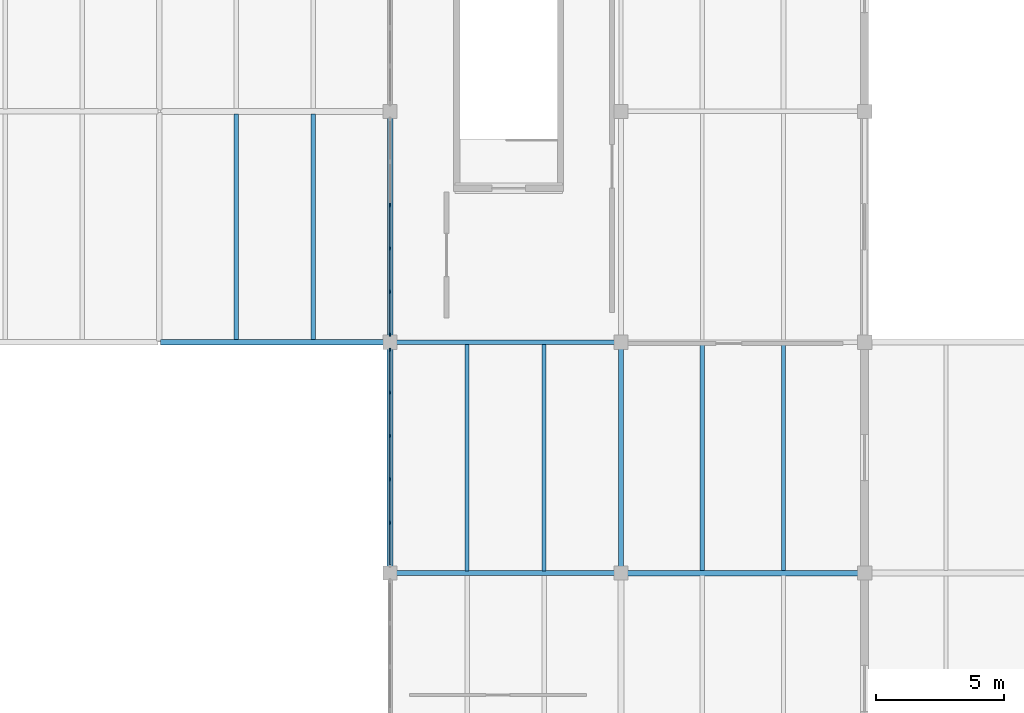
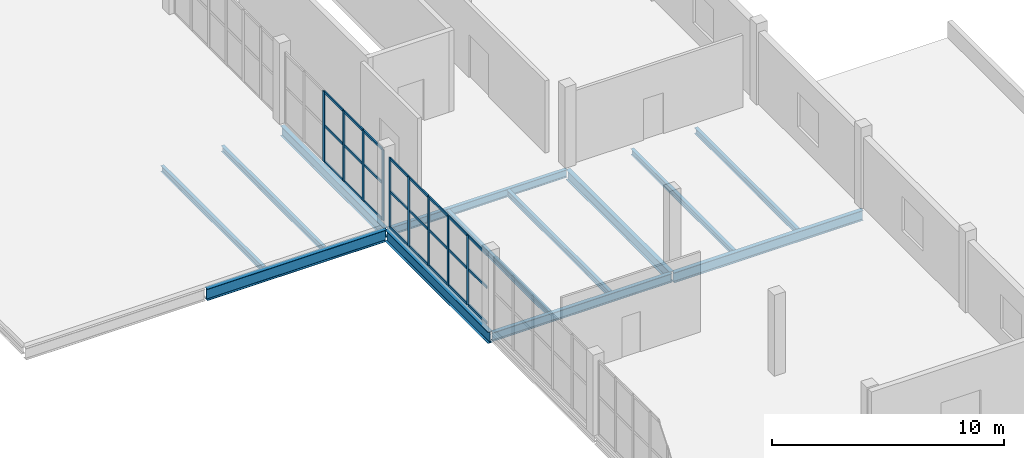
# One storey, part 30 of 54: 33 members, 13 beams, 2 elements without a shape of their own.
"""IFC4 building model written with IfcOpenShell, lengths in metres."""

import ifcopenshell
import ifcopenshell.guid

model = None  # the IFC model being written
_history = None  # IfcOwnerHistory: only IFC2X3 demands one
_inside = {}  # id of a spatial element -> (the spatial element, [elements in it])
_under = {}  # id of a project, library or spatial element -> (it, [spatial elements below it])
_declared = {}  # id of a project -> (the project, [libraries it declares])
_typed = {}  # id of a type object -> (the type object, [elements of that type])
_made_of = {}  # id of a material, layer set ... -> (it, [elements and type objects made of it])


def new_model(schema):
    """Start an empty IFC model of exactly this schema.

    Asked for "IFC4X3", IfcOpenShell would pick the latest addendum, in which some entities
    have other attributes; the version numbers below select the first issue.
    IFC2X3 requires an IfcOwnerHistory on every rooted entity: one is made here for all.
    """
    global model, _history
    if schema == "IFC4X3":
        model = ifcopenshell.file(schema_version=(4, 3, 0, 0))
    else:
        model = ifcopenshell.file(schema=schema)
    _inside.clear()
    _under.clear()
    _declared.clear()
    _typed.clear()
    _made_of.clear()
    _history = None
    if model.schema == "IFC2X3":
        org = make("IfcOrganization", Name="unknown")
        user = make(
            "IfcPersonAndOrganization",
            ThePerson=make("IfcPerson", FamilyName="unknown"),
            TheOrganization=org,
        )
        app = make(
            "IfcApplication",
            ApplicationDeveloper=org,
            Version="unknown",
            ApplicationFullName="unknown",
            ApplicationIdentifier="unknown",
        )
        _history = make(
            "IfcOwnerHistory",
            OwningUser=user,
            OwningApplication=app,
            ChangeAction="ADDED",
            CreationDate=0,
        )
    return model


def make(cls, **values):
    """One entity of the class cls with the attributes given. An attribute that is None is left unset."""
    return model.create_entity(
        cls, **{name: value for name, value in values.items() if value is not None}
    )


def rooted(cls, **values):
    """An entity with a GlobalId (a new one), such as an element, a storey or a relation."""
    return make(cls, GlobalId=ifcopenshell.guid.new(), OwnerHistory=_history, **values)


def si_unit(unit_type, name, prefix=None):
    """IfcSIUnit, for example si_unit("LENGTHUNIT", "METRE", prefix="MILLI")."""
    return make("IfcSIUnit", UnitType=unit_type, Prefix=prefix, Name=name)


def assignment(units):
    """IfcUnitAssignment: the units of a project."""
    return None if units is None else make("IfcUnitAssignment", Units=units)


def point(xyz):
    """IfcCartesianPoint."""
    return None if xyz is None else make("IfcCartesianPoint", Coordinates=xyz)


def direction(xyz):
    """IfcDirection."""
    return None if xyz is None else make("IfcDirection", DirectionRatios=xyz)


def frame(location, z_axis=None, x_axis=None):
    """IfcAxis2Placement3D, a coordinate frame: its origin and axes. An axis left out is left unset."""
    return make(
        "IfcAxis2Placement3D",
        Location=point(location),
        Axis=direction(z_axis),
        RefDirection=direction(x_axis),
    )


def frame_2d(location, x_axis=None):
    """IfcAxis2Placement2D, a coordinate frame in the plane: its origin and x axis."""
    return make(
        "IfcAxis2Placement2D", Location=point(location), RefDirection=direction(x_axis)
    )


def origin():
    """The frame at (0, 0, 0) with its axes left unset."""
    return frame((0.0, 0.0, 0.0))


def origin_2d():
    """The frame at (0, 0) in the plane with its x axis left unset."""
    return frame_2d((0.0, 0.0))


def place(relative_to, where):
    """IfcLocalPlacement: puts the frame where relative to a parent placement (None: the world)."""
    return make(
        "IfcLocalPlacement", PlacementRelTo=relative_to, RelativePlacement=where
    )


def context(
    kind, dimensions, precision=None, world=None, true_north=None, identifier=None
):
    """IfcGeometricRepresentationContext, for example the 3D "Model" context."""
    return make(
        "IfcGeometricRepresentationContext",
        ContextIdentifier=identifier,
        ContextType=kind,
        CoordinateSpaceDimension=dimensions,
        Precision=precision,
        WorldCoordinateSystem=world,
        TrueNorth=true_north,
    )


def subcontext(parent, identifier, kind, view, scale=None):
    """IfcGeometricRepresentationSubContext, for example "Body" below "Model"."""
    return make(
        "IfcGeometricRepresentationSubContext",
        ContextIdentifier=identifier,
        ContextType=kind,
        ParentContext=parent,
        TargetScale=scale,
        TargetView=view,
    )


def project(units=None, contexts=None):
    """IfcProject with its units and contexts."""
    return rooted(
        "IfcProject",
        Name="project",
        RepresentationContexts=contexts,
        UnitsInContext=assignment(units),
    )


def spatial(cls, under=None, at=None, **own):
    """A site, building, storey or space (cls), placed at a placement, below another one or the project."""
    s = rooted(cls, ObjectPlacement=at, **own)
    if under is not None:
        _under.setdefault(under.id(), (under, []))[1].append(s)
    return s


def profile(cls, at=None, kind="AREA", **sizes):
    """A parametric profile (cls). Its sizes go by their IFC names, for example OverallWidth=200.0."""
    return make(cls, ProfileType=kind, Position=at, **sizes)


def rectangle(**sizes):
    """IfcRectangleProfileDef."""
    return profile("IfcRectangleProfileDef", **sizes)


def i_section(**sizes):
    """IfcIShapeProfileDef."""
    return profile("IfcIShapeProfileDef", **sizes)


def extrude(swept, where, along, depth):
    """IfcExtrudedAreaSolid: the profile swept, set in the frame where, extruded along a direction by depth."""
    return make(
        "IfcExtrudedAreaSolid",
        SweptArea=swept,
        Position=where,
        ExtrudedDirection=direction(along),
        Depth=depth,
    )


def shape(context_of_items, identifier, shape_type, items):
    """IfcShapeRepresentation: the items that make up one representation, for example the "Body"."""
    return make(
        "IfcShapeRepresentation",
        ContextOfItems=context_of_items,
        RepresentationIdentifier=identifier,
        RepresentationType=shape_type,
        Items=items,
    )


def material(Name=None, Category=None):
    """IfcMaterial."""
    return make("IfcMaterial", Name=Name, Category=Category)


def layer(
    of_material, thickness, ventilated=None, Name=None, Category=None, Priority=None
):
    """IfcMaterialLayer: one layer of a wall or slab, of a material (None: an air gap)."""
    return make(
        "IfcMaterialLayer",
        Material=of_material,
        LayerThickness=thickness,
        IsVentilated=ventilated,
        Name=Name,
        Category=Category,
        Priority=Priority,
    )


def layer_set(layers, Name=None):
    """IfcMaterialLayerSet."""
    return make("IfcMaterialLayerSet", MaterialLayers=layers, LayerSetName=Name)


def material_profile(
    of_material, cross_section, Name=None, Category=None, Priority=None
):
    """IfcMaterialProfile: a cross section and its material."""
    return make(
        "IfcMaterialProfile",
        Name=Name,
        Material=of_material,
        Profile=cross_section,
        Priority=Priority,
        Category=Category,
    )


def profile_set(profiles, Name=None, composite=None):
    """IfcMaterialProfileSet."""
    return make(
        "IfcMaterialProfileSet",
        Name=Name,
        MaterialProfiles=profiles,
        CompositeProfile=composite,
    )


def made_of(thing, what):
    """Note that an element or type object is made of a material, layer set ...; save() writes the relation."""
    if what is not None:
        _made_of.setdefault(what.id(), (what, []))[1].append(thing)
    return thing


def type_object(cls, material=None, **own):
    """A type object (cls), such as IfcWallType, which elements share."""
    return made_of(rooted(cls, **own), material)


def element(
    cls,
    number,
    at=None,
    inside=None,
    cuts=None,
    type_object=None,
    material=None,
    context=None,
    identifier="Body",
    shape_type=None,
    held_by="IfcProductDefinitionShape",
    body=None,
    shapes=None,
    **own,
):
    """One element of the class cls, such as IfcWall. Its Tag is "e" and its number.

    at: its placement. inside: the storey or other place that contains it. cuts: it is an
    opening in that element (IfcRelVoidsElement). A single representation is given by context,
    identifier, shape_type and body (its items); several are given by shapes. held_by: the class
    of the entity that holds the representations. save() writes the other relations.
    """
    e = rooted(cls, Tag="e%d" % number, ObjectPlacement=at, **own)
    if body is not None:
        shapes = [shape(context, identifier, shape_type, body)]
    if shapes is not None:
        e.Representation = make(held_by, Representations=shapes)
    if inside is not None:
        _inside.setdefault(inside.id(), (inside, []))[1].append(e)
    if cuts is not None:
        rooted(
            "IfcRelVoidsElement", RelatingBuildingElement=cuts, RelatedOpeningElement=e
        )
    if type_object is not None:
        _typed.setdefault(type_object.id(), (type_object, []))[1].append(e)
    return made_of(e, material)


def aggregate(whole, parts):
    """IfcRelAggregates: a whole, such as a stair, and the parts it consists of."""
    return rooted("IfcRelAggregates", RelatingObject=whole, RelatedObjects=parts)


def save(model, path):
    """Write the relations noted so far, then the file.

    IfcRelAggregates (storeys below a building ...), IfcRelContainedInSpatialStructure (elements
    in a storey), IfcRelDefinesByType, IfcRelAssociatesMaterial and IfcRelDeclares: one each for
    every whole, place, type object, material and project.
    """
    for whole, parts in _under.values():
        aggregate(whole, parts)
    for where, things in _inside.values():
        rooted(
            "IfcRelContainedInSpatialStructure",
            RelatedElements=things,
            RelatingStructure=where,
        )
    for kind, things in _typed.values():
        rooted("IfcRelDefinesByType", RelatedObjects=things, RelatingType=kind)
    for what, things in _made_of.values():
        rooted("IfcRelAssociatesMaterial", RelatedObjects=things, RelatingMaterial=what)
    for by, libraries in _declared.values():
        rooted("IfcRelDeclares", RelatingContext=by, RelatedDefinitions=libraries)
    model.write(path)


model = new_model("IFC4")

# Units and contexts
model_context = context("Model", 3, precision=1e-05, world=origin(), true_north=direction((0.0, 1.0)))
body_context = subcontext(model_context, "Body", "Model", "MODEL_VIEW")
ifc_project = project(units=[si_unit("LENGTHUNIT", "METRE"), si_unit("AREAUNIT", "SQUARE_METRE"), si_unit("VOLUMEUNIT", "CUBIC_METRE"), si_unit("PLANEANGLEUNIT", "RADIAN"), si_unit("MASSUNIT", "GRAM", prefix="KILO")], contexts=[model_context])

# Site, building, storey
site_placement = place(None, origin())
site = spatial("IfcSite", under=ifc_project, at=site_placement, CompositionType="ELEMENT")
building_placement = place(site_placement, origin())
building = spatial("IfcBuilding", under=site, at=building_placement, Name="Marnock Terrace Opera House", CompositionType="ELEMENT")
storey_placement = place(building_placement, frame((0.0, 0.0, 19.199951171875)))
storey = spatial("IfcBuildingStorey", under=building, at=storey_placement, Name="L04", CompositionType="ELEMENT", Elevation=19.199951171875)

# Beams
ifc_material_1 = material(Name="Steel Grade 350 (AS/NZS 3679.1)", Category="steel")
ifc_material_profile_1 = material_profile(ifc_material_1, i_section(OverallWidth=0.177978515625, OverallDepth=0.402587890625, WebThickness=0.007568359375, FlangeThickness=0.010986328125, FilletRadius=0.011474609375, at=origin_2d()))
ifc_profile_set_1 = profile_set([ifc_material_profile_1], Name="Steel Grade 350 (AS/NZS 3679.1)")
beam_type_1 = type_object("IfcBeamType", Name="BM-GIRD-410", PredefinedType="BEAM", material=ifc_profile_set_1)
beam_1_placement = place(storey_placement, frame((136.050048828125, 66.0, -0.451171875), z_axis=(1.0, 0.0, 0.0), x_axis=(0.0, 1.0, 0.0)))
element("IfcBeam", 1, at=beam_1_placement, inside=storey, type_object=beam_type_1, Name="L04 girder (136.0..145.0, Y=66.0)", PredefinedType="BEAM", context=body_context, shape_type="SweptSolid", body=[
    extrude(i_section(OverallWidth=0.177978515625, OverallDepth=0.402587890625, WebThickness=0.007568359375, FlangeThickness=0.010986328125, FilletRadius=0.011474609375, at=origin_2d()), origin(), (0.0, 0.0, 1.0), 8.89990234375),
])
ifc_material_profile_2 = material_profile(ifc_material_1, i_section(OverallWidth=0.19091796875, OverallDepth=0.46044921875, WebThickness=0.010009765625, FlangeThickness=0.01611328125, FilletRadius=0.011474609375, at=origin_2d()))
ifc_profile_set_2 = profile_set([ifc_material_profile_2], Name="Steel Grade 350 (AS/NZS 3679.1)")
beam_type_2 = type_object("IfcBeamType", Name="BM-GIRD-460A", PredefinedType="BEAM", material=ifc_profile_set_2)
beam_2_placement = place(storey_placement, frame((136.050048828125, 57.0, -0.480224609375), z_axis=(1.0, 0.0, 0.0), x_axis=(0.0, 1.0, 0.0)))
element("IfcBeam", 2, at=beam_2_placement, inside=storey, type_object=beam_type_2, Name="L04 girder (136.0..145.0, Y=57.0)", PredefinedType="BEAM", context=body_context, shape_type="SweptSolid", body=[
    extrude(i_section(OverallWidth=0.19091796875, OverallDepth=0.46044921875, WebThickness=0.010009765625, FlangeThickness=0.01611328125, FilletRadius=0.011474609375, at=origin_2d()), origin(), (0.0, 0.0, 1.0), 8.89990234375),
])
ifc_material_profile_3 = material_profile(ifc_material_1, i_section(OverallWidth=0.208984375, OverallDepth=0.532958984375, WebThickness=0.01025390625, FlangeThickness=0.015625, FilletRadius=0.013916015625, at=origin_2d()))
ifc_profile_set_3 = profile_set([ifc_material_profile_3], Name="Steel Grade 350 (AS/NZS 3679.1)")
beam_type_3 = type_object("IfcBeamType", Name="BM-GIRD-530A", PredefinedType="BEAM", material=ifc_profile_set_3)
beam_3_placement = place(storey_placement, frame((145.050048828125, 57.0, -0.516357421875), z_axis=(1.0, 0.0, 0.0), x_axis=(0.0, 1.0, 0.0)))
element("IfcBeam", 3, at=beam_3_placement, inside=storey, type_object=beam_type_3, Name="L04 girder (145.0..154.5, Y=57.0)", PredefinedType="BEAM", context=body_context, shape_type="SweptSolid", body=[
    extrude(i_section(OverallWidth=0.208984375, OverallDepth=0.532958984375, WebThickness=0.01025390625, FlangeThickness=0.015625, FilletRadius=0.013916015625, at=origin_2d()), origin(), (0.0, 0.0, 1.0), 9.39990234375),
])
ifc_material_profile_4 = material_profile(ifc_material_1, i_section(OverallWidth=0.208984375, OverallDepth=0.528076171875, WebThickness=0.009521484375, FlangeThickness=0.01318359375, FilletRadius=0.013916015625, at=origin_2d()))
ifc_profile_set_4 = profile_set([ifc_material_profile_4], Name="Steel Grade 350 (AS/NZS 3679.1)")
beam_type_4 = type_object("IfcBeamType", Name="BM-GIRD-530B", PredefinedType="BEAM", material=ifc_profile_set_4)
for number, where, z_axis, x_axis, name in (
    (4, (136.0, 66.050048828125, -0.513916015625), (0.0, 1.0, 0.0), (-1.0, 0.0, 0.0), "L04 girder (X=136.0, 66.0..75.0)"),
    (5, (145.0, 57.050048828125, -0.513916015625), (0.0, 1.0, 0.0), (-1.0, 0.0, 0.0), "L04 girder (X=145.0, 57.0..66.0)"),
):
    element("IfcBeam", number, at=place(storey_placement, frame(where, z_axis=z_axis, x_axis=x_axis)), inside=storey, type_object=beam_type_4, Name=name, PredefinedType="BEAM", context=body_context, shape_type="SweptSolid", body=[
        extrude(i_section(OverallWidth=0.208984375, OverallDepth=0.528076171875, WebThickness=0.009521484375, FlangeThickness=0.01318359375, FilletRadius=0.013916015625, at=origin_2d()), origin(), (0.0, 0.0, 1.0), 8.89990234375),
    ])
ifc_material_profile_5 = material_profile(ifc_material_1, i_section(OverallWidth=0.22900390625, OverallDepth=0.611572265625, WebThickness=0.011962890625, FlangeThickness=0.01953125, FilletRadius=0.013916015625, at=origin_2d()))
ifc_profile_set_5 = profile_set([ifc_material_profile_5], Name="Steel Grade 350 (AS/NZS 3679.1)")
beam_type_5 = type_object("IfcBeamType", Name="BM-GIRD-610A", PredefinedType="BEAM", material=ifc_profile_set_5)
beam_4_placement = place(storey_placement, frame((127.050048828125, 66.0, -0.5556640625), z_axis=(1.0, 0.0, 0.0), x_axis=(0.0, 1.0, 0.0)))
element("IfcBeam", 6, at=beam_4_placement, inside=storey, type_object=beam_type_5, Name="L04 girder (127.0..136.0, Y=66.0)", PredefinedType="BEAM", context=body_context, shape_type="SweptSolid", body=[
    extrude(i_section(OverallWidth=0.22900390625, OverallDepth=0.611572265625, WebThickness=0.011962890625, FlangeThickness=0.01953125, FilletRadius=0.013916015625, at=origin_2d()), origin(), (0.0, 0.0, 1.0), 8.89990234375),
])
ifc_material_profile_6 = material_profile(ifc_material_1, i_section(OverallWidth=0.22802734375, OverallDepth=0.60205078125, WebThickness=0.010498046875, FlangeThickness=0.014892578125, FilletRadius=0.013916015625, at=origin_2d()))
ifc_profile_set_6 = profile_set([ifc_material_profile_6], Name="Steel Grade 350 (AS/NZS 3679.1)")
beam_type_6 = type_object("IfcBeamType", Name="BM-GIRD-610C", PredefinedType="BEAM", material=ifc_profile_set_6)
beam_5_placement = place(storey_placement, frame((136.0, 57.050048828125, -0.551025390625), z_axis=(0.0, 1.0, 0.0), x_axis=(-1.0, 0.0, 0.0)))
element("IfcBeam", 7, at=beam_5_placement, inside=storey, type_object=beam_type_6, Name="L04 girder (X=136.0, 57.0..66.0)", PredefinedType="BEAM", context=body_context, shape_type="SweptSolid", body=[
    extrude(i_section(OverallWidth=0.22802734375, OverallDepth=0.60205078125, WebThickness=0.010498046875, FlangeThickness=0.014892578125, FilletRadius=0.013916015625, at=origin_2d()), origin(), (0.0, 0.0, 1.0), 8.89990234375),
])
ifc_material_profile_7 = material_profile(ifc_material_1, i_section(OverallWidth=0.166015625, OverallDepth=0.30712890625, WebThickness=0.006591796875, FlangeThickness=0.01171875, FilletRadius=0.011474609375, at=origin_2d()))
ifc_profile_set_7 = profile_set([ifc_material_profile_7], Name="Steel Grade 350 (AS/NZS 3679.1)")
beam_type_7 = type_object("IfcBeamType", Name="BM-JOIST-310A", PredefinedType="JOIST", material=ifc_profile_set_7)
for number, where, z_axis, x_axis, name in (
    (8, (130.0, 66.109619140625, -0.37353515625), (0.0, 1.0, 0.0), (-1.0, 0.0, 0.0), "L04 secondary joist 14.8.1"),
    (9, (133.0, 66.109619140625, -0.37353515625), (0.0, 1.0, 0.0), (-1.0, 0.0, 0.0), "L04 secondary joist 14.8.2"),
):
    element("IfcBeam", number, at=place(storey_placement, frame(where, z_axis=z_axis, x_axis=x_axis)), inside=storey, type_object=beam_type_7, Name=name, PredefinedType="JOIST", context=body_context, shape_type="SweptSolid", body=[
        extrude(i_section(OverallWidth=0.166015625, OverallDepth=0.30712890625, WebThickness=0.006591796875, FlangeThickness=0.01171875, FilletRadius=0.011474609375, at=origin_2d()), origin(), (0.0, 0.0, 1.0), 8.781494140625),
    ])
for number, where, z_axis, x_axis, name in (
    (10, (139.0, 57.090576171875, -0.403564453125), (0.0, 1.0, 0.0), (-1.0, 0.0, 0.0), "L04 secondary joist 15.7.1"),
    (11, (142.0, 57.090576171875, -0.403564453125), (0.0, 1.0, 0.0), (-1.0, 0.0, 0.0), "L04 secondary joist 15.7.2"),
):
    element("IfcBeam", number, at=place(storey_placement, frame(where, z_axis=z_axis, x_axis=x_axis)), inside=storey, type_object=beam_type_7, Name=name, PredefinedType="JOIST", context=body_context, shape_type="SweptSolid", body=[
        extrude(i_section(OverallWidth=0.166015625, OverallDepth=0.30712890625, WebThickness=0.006591796875, FlangeThickness=0.01171875, FilletRadius=0.011474609375, at=origin_2d()), origin(), (0.0, 0.0, 1.0), 8.825439453125),
    ])
ifc_material_profile_8 = material_profile(ifc_material_1, i_section(OverallWidth=0.1650390625, OverallDepth=0.3037109375, WebThickness=0.006103515625, FlangeThickness=0.01025390625, FilletRadius=0.011474609375, at=origin_2d()))
ifc_profile_set_8 = profile_set([ifc_material_profile_8], Name="Steel Grade 350 (AS/NZS 3679.1)")
beam_type_8 = type_object("IfcBeamType", Name="BM-JOIST-310B", PredefinedType="JOIST", material=ifc_profile_set_8)
for number, where, z_axis, x_axis, name in (
    (12, (148.166748046875, 57.099609375, -0.40185546875), (0.0, 1.0, 0.0), (-1.0, 0.0, 0.0), "L04 secondary joist 16.7.1"),
    (13, (151.333251953125, 57.099609375, -0.40185546875), (0.0, 1.0, 0.0), (-1.0, 0.0, 0.0), "L04 secondary joist 16.7.2"),
):
    element("IfcBeam", number, at=place(storey_placement, frame(where, z_axis=z_axis, x_axis=x_axis)), inside=storey, type_object=beam_type_8, Name=name, PredefinedType="JOIST", context=body_context, shape_type="SweptSolid", body=[
        extrude(i_section(OverallWidth=0.1650390625, OverallDepth=0.3037109375, WebThickness=0.006103515625, FlangeThickness=0.01025390625, FilletRadius=0.011474609375, at=origin_2d()), origin(), (0.0, 0.0, 1.0), 8.809814453125),
    ])

# Curtain wall, members
ifc_material_2 = material(Name="Anodised architectural bronze aluminium framing", Category="aluminium")
ifc_layer = layer(ifc_material_2, 0.159912109375)
ifc_layer_set = layer_set([ifc_layer], Name="Anodised architectural bronze aluminium framing")
curtain_wall_type = type_object("IfcCurtainWallType", Name="CW-DRUM-71x39", PredefinedType="NOTDEFINED", material=ifc_layer_set)
curtain_wall_1_placement = place(storey_placement, origin())
curtain_wall_1 = element("IfcCurtainWall", 14, at=curtain_wall_1_placement, inside=storey, type_object=curtain_wall_type, Name="L04 glazed Beaux-Arts colonnade curtain wall CW-L04-V5C3", PredefinedType="NOTDEFINED")
ifc_material_profile_9 = material_profile(ifc_material_2, rectangle(XDim=0.06005859375, YDim=0.14990234375, at=origin_2d()))
ifc_profile_set_9 = profile_set([ifc_material_profile_9], Name="Anodised architectural bronze aluminium framing")
member_type_1 = type_object("IfcMemberType", Name="CWM-60x150", PredefinedType="MULLION", material=ifc_profile_set_9)
member_1_placement = place(storey_placement, frame((136.0, 58.962646484375, 0.0), z_axis=(0.0, 0.0, 1.0), x_axis=(-1.0, 0.0, 0.0)))
member_1 = element("IfcMember", 15, at=member_1_placement, type_object=member_type_1, Name="CW-76 mullion 2", PredefinedType="MULLION", context=body_context, shape_type="SweptSolid", body=[
    extrude(rectangle(XDim=0.06005859375, YDim=0.14990234375, at=origin_2d()), origin(), (0.0, 0.0, 1.0), 3.64794921875),
])
member_2_placement = place(storey_placement, frame((136.0, 60.654296875, 0.0), z_axis=(0.0, 0.0, 1.0), x_axis=(-1.0, 0.0, 0.0)))
member_2 = element("IfcMember", 16, at=member_2_placement, type_object=member_type_1, Name="CW-76 mullion 3", PredefinedType="MULLION", context=body_context, shape_type="SweptSolid", body=[
    extrude(rectangle(XDim=0.06005859375, YDim=0.14990234375, at=origin_2d()), origin(), (0.0, 0.0, 1.0), 3.64794921875),
])
member_3_placement = place(storey_placement, frame((136.0, 62.345703125, 0.0), z_axis=(0.0, 0.0, 1.0), x_axis=(-1.0, 0.0, 0.0)))
member_3 = element("IfcMember", 17, at=member_3_placement, type_object=member_type_1, Name="CW-76 mullion 4", PredefinedType="MULLION", context=body_context, shape_type="SweptSolid", body=[
    extrude(rectangle(XDim=0.06005859375, YDim=0.14990234375, at=origin_2d()), origin(), (0.0, 0.0, 1.0), 3.64794921875),
])
member_4_placement = place(storey_placement, frame((136.0, 64.037353515625, 0.0), z_axis=(0.0, 0.0, 1.0), x_axis=(-1.0, 0.0, 0.0)))
member_4 = element("IfcMember", 18, at=member_4_placement, type_object=member_type_1, Name="CW-76 mullion 5", PredefinedType="MULLION", context=body_context, shape_type="SweptSolid", body=[
    extrude(rectangle(XDim=0.06005859375, YDim=0.14990234375, at=origin_2d()), origin(), (0.0, 0.0, 1.0), 3.64794921875),
])
member_5_placement = place(storey_placement, frame((136.0, 65.698974609375, 0.0), z_axis=(0.0, 0.0, 1.0), x_axis=(-1.0, 0.0, 0.0)))
member_5 = element("IfcMember", 19, at=member_5_placement, type_object=member_type_1, Name="CW-76 mullion 6", PredefinedType="MULLION", context=body_context, shape_type="SweptSolid", body=[
    extrude(rectangle(XDim=0.06005859375, YDim=0.14990234375, at=origin_2d()), origin(), (0.0, 0.0, 1.0), 3.64794921875),
])

curtain_wall_2_placement = place(storey_placement, origin())
curtain_wall_2 = element("IfcCurtainWall", 20, at=curtain_wall_2_placement, inside=storey, type_object=curtain_wall_type, Name="L04 glazed Beaux-Arts colonnade curtain wall CW-L04-V5C4", PredefinedType="NOTDEFINED")
member_6_placement = place(storey_placement, frame((136.0, 66.301025390625, 0.0), z_axis=(0.0, 0.0, 1.0), x_axis=(-1.0, 0.0, 0.0)))
member_6 = element("IfcMember", 21, at=member_6_placement, type_object=member_type_1, Name="CW-76 mullion 1", PredefinedType="MULLION", context=body_context, shape_type="SweptSolid", body=[
    extrude(rectangle(XDim=0.06005859375, YDim=0.14990234375, at=origin_2d()), origin(), (0.0, 0.0, 1.0), 3.72216796875),
])
member_7_placement = place(storey_placement, frame((136.0, 67.962646484375, 0.0), z_axis=(0.0, 0.0, 1.0), x_axis=(-1.0, 0.0, 0.0)))
member_7 = element("IfcMember", 22, at=member_7_placement, type_object=member_type_1, Name="CW-76 mullion 2", PredefinedType="MULLION", context=body_context, shape_type="SweptSolid", body=[
    extrude(rectangle(XDim=0.06005859375, YDim=0.14990234375, at=origin_2d()), origin(), (0.0, 0.0, 1.0), 3.72216796875),
])
member_8_placement = place(storey_placement, frame((136.0, 69.654296875, 0.0), z_axis=(0.0, 0.0, 1.0), x_axis=(-1.0, 0.0, 0.0)))
member_8 = element("IfcMember", 23, at=member_8_placement, type_object=member_type_1, Name="CW-76 mullion 3", PredefinedType="MULLION", context=body_context, shape_type="SweptSolid", body=[
    extrude(rectangle(XDim=0.06005859375, YDim=0.14990234375, at=origin_2d()), origin(), (0.0, 0.0, 1.0), 3.72216796875),
])
member_9_placement = place(storey_placement, frame((136.0, 71.345703125, 0.0), z_axis=(0.0, 0.0, 1.0), x_axis=(-1.0, 0.0, 0.0)))
member_9 = element("IfcMember", 24, at=member_9_placement, type_object=member_type_1, Name="CW-76 mullion 4", PredefinedType="MULLION", context=body_context, shape_type="SweptSolid", body=[
    extrude(rectangle(XDim=0.06005859375, YDim=0.14990234375, at=origin_2d()), origin(), (0.0, 0.0, 1.0), 3.72216796875),
])

# Member
ifc_material_profile_10 = material_profile(ifc_material_2, rectangle(XDim=0.06005859375, YDim=0.1298828125, at=origin_2d()))
ifc_profile_set_10 = profile_set([ifc_material_profile_10], Name="Anodised architectural bronze aluminium framing")
member_type_2 = type_object("IfcMemberType", Name="CWT-60x130", PredefinedType="USERDEFINED", material=ifc_profile_set_10)
member_10_placement = place(storey_placement, frame((136.0, 57.3310546875, 0.030029296875), z_axis=(0.0, 1.0, 0.0), x_axis=(-1.0, 0.0, 0.0)))
member_10 = element("IfcMember", 25, at=member_10_placement, type_object=member_type_2, Name="CW-76 transom 1.1", ObjectType="TRANSOM", PredefinedType="USERDEFINED", context=body_context, shape_type="SweptSolid", body=[
    extrude(rectangle(XDim=0.06005859375, YDim=0.1298828125, at=origin_2d()), origin(), (0.0, 0.0, 1.0), 1.6015625),
])

member_11_placement = place(storey_placement, frame((136.0, 57.3310546875, 1.89697265625), z_axis=(0.0, 1.0, 0.0), x_axis=(-1.0, 0.0, 0.0)))
member_11 = element("IfcMember", 26, at=member_11_placement, type_object=member_type_2, Name="CW-76 transom 1.2", ObjectType="TRANSOM", PredefinedType="USERDEFINED", context=body_context, shape_type="SweptSolid", body=[
    extrude(rectangle(XDim=0.06005859375, YDim=0.1298828125, at=origin_2d()), origin(), (0.0, 0.0, 1.0), 1.6015625),
])

member_12_placement = place(storey_placement, frame((136.0, 57.3310546875, 3.6181640625), z_axis=(0.0, 1.0, 0.0), x_axis=(-1.0, 0.0, 0.0)))
member_12 = element("IfcMember", 27, at=member_12_placement, type_object=member_type_2, Name="CW-76 transom 1.3", ObjectType="TRANSOM", PredefinedType="USERDEFINED", context=body_context, shape_type="SweptSolid", body=[
    extrude(rectangle(XDim=0.06005859375, YDim=0.1298828125, at=origin_2d()), origin(), (0.0, 0.0, 1.0), 1.6015625),
])

member_13_placement = place(storey_placement, frame((136.0, 58.99267578125, 0.030029296875), z_axis=(0.0, 1.0, 0.0), x_axis=(-1.0, 0.0, 0.0)))
member_13 = element("IfcMember", 28, at=member_13_placement, type_object=member_type_2, Name="CW-76 transom 2.1", ObjectType="TRANSOM", PredefinedType="USERDEFINED", context=body_context, shape_type="SweptSolid", body=[
    extrude(rectangle(XDim=0.06005859375, YDim=0.1298828125, at=origin_2d()), origin(), (0.0, 0.0, 1.0), 1.631591796875),
])

member_14_placement = place(storey_placement, frame((136.0, 58.99267578125, 1.89697265625), z_axis=(0.0, 1.0, 0.0), x_axis=(-1.0, 0.0, 0.0)))
member_14 = element("IfcMember", 29, at=member_14_placement, type_object=member_type_2, Name="CW-76 transom 2.2", ObjectType="TRANSOM", PredefinedType="USERDEFINED", context=body_context, shape_type="SweptSolid", body=[
    extrude(rectangle(XDim=0.06005859375, YDim=0.1298828125, at=origin_2d()), origin(), (0.0, 0.0, 1.0), 1.631591796875),
])

member_15_placement = place(storey_placement, frame((136.0, 58.99267578125, 3.6181640625), z_axis=(0.0, 1.0, 0.0), x_axis=(-1.0, 0.0, 0.0)))
member_15 = element("IfcMember", 30, at=member_15_placement, type_object=member_type_2, Name="CW-76 transom 2.3", ObjectType="TRANSOM", PredefinedType="USERDEFINED", context=body_context, shape_type="SweptSolid", body=[
    extrude(rectangle(XDim=0.06005859375, YDim=0.1298828125, at=origin_2d()), origin(), (0.0, 0.0, 1.0), 1.631591796875),
])

member_16_placement = place(storey_placement, frame((136.0, 60.68408203125, 0.030029296875), z_axis=(0.0, 1.0, 0.0), x_axis=(-1.0, 0.0, 0.0)))
member_16 = element("IfcMember", 31, at=member_16_placement, type_object=member_type_2, Name="CW-76 transom 3.1", ObjectType="TRANSOM", PredefinedType="USERDEFINED", context=body_context, shape_type="SweptSolid", body=[
    extrude(rectangle(XDim=0.06005859375, YDim=0.1298828125, at=origin_2d()), origin(), (0.0, 0.0, 1.0), 1.6318359375),
])

member_17_placement = place(storey_placement, frame((136.0, 60.68408203125, 1.89697265625), z_axis=(0.0, 1.0, 0.0), x_axis=(-1.0, 0.0, 0.0)))
member_17 = element("IfcMember", 32, at=member_17_placement, type_object=member_type_2, Name="CW-76 transom 3.2", ObjectType="TRANSOM", PredefinedType="USERDEFINED", context=body_context, shape_type="SweptSolid", body=[
    extrude(rectangle(XDim=0.06005859375, YDim=0.1298828125, at=origin_2d()), origin(), (0.0, 0.0, 1.0), 1.6318359375),
])

member_18_placement = place(storey_placement, frame((136.0, 60.68408203125, 3.6181640625), z_axis=(0.0, 1.0, 0.0), x_axis=(-1.0, 0.0, 0.0)))
member_18 = element("IfcMember", 33, at=member_18_placement, type_object=member_type_2, Name="CW-76 transom 3.3", ObjectType="TRANSOM", PredefinedType="USERDEFINED", context=body_context, shape_type="SweptSolid", body=[
    extrude(rectangle(XDim=0.06005859375, YDim=0.1298828125, at=origin_2d()), origin(), (0.0, 0.0, 1.0), 1.6318359375),
])

member_19_placement = place(storey_placement, frame((136.0, 62.375732421875, 0.030029296875), z_axis=(0.0, 1.0, 0.0), x_axis=(-1.0, 0.0, 0.0)))
member_19 = element("IfcMember", 34, at=member_19_placement, type_object=member_type_2, Name="CW-76 transom 4.1", ObjectType="TRANSOM", PredefinedType="USERDEFINED", context=body_context, shape_type="SweptSolid", body=[
    extrude(rectangle(XDim=0.06005859375, YDim=0.1298828125, at=origin_2d()), origin(), (0.0, 0.0, 1.0), 1.631591796875),
])

member_20_placement = place(storey_placement, frame((136.0, 62.375732421875, 1.89697265625), z_axis=(0.0, 1.0, 0.0), x_axis=(-1.0, 0.0, 0.0)))
member_20 = element("IfcMember", 35, at=member_20_placement, type_object=member_type_2, Name="CW-76 transom 4.2", ObjectType="TRANSOM", PredefinedType="USERDEFINED", context=body_context, shape_type="SweptSolid", body=[
    extrude(rectangle(XDim=0.06005859375, YDim=0.1298828125, at=origin_2d()), origin(), (0.0, 0.0, 1.0), 1.631591796875),
])

member_21_placement = place(storey_placement, frame((136.0, 62.375732421875, 3.6181640625), z_axis=(0.0, 1.0, 0.0), x_axis=(-1.0, 0.0, 0.0)))
member_21 = element("IfcMember", 36, at=member_21_placement, type_object=member_type_2, Name="CW-76 transom 4.3", ObjectType="TRANSOM", PredefinedType="USERDEFINED", context=body_context, shape_type="SweptSolid", body=[
    extrude(rectangle(XDim=0.06005859375, YDim=0.1298828125, at=origin_2d()), origin(), (0.0, 0.0, 1.0), 1.631591796875),
])

member_22_placement = place(storey_placement, frame((136.0, 64.0673828125, 0.030029296875), z_axis=(0.0, 1.0, 0.0), x_axis=(-1.0, 0.0, 0.0)))
member_22 = element("IfcMember", 37, at=member_22_placement, type_object=member_type_2, Name="CW-76 transom 5.1", ObjectType="TRANSOM", PredefinedType="USERDEFINED", context=body_context, shape_type="SweptSolid", body=[
    extrude(rectangle(XDim=0.06005859375, YDim=0.1298828125, at=origin_2d()), origin(), (0.0, 0.0, 1.0), 1.6015625),
])

member_23_placement = place(storey_placement, frame((136.0, 64.0673828125, 1.89697265625), z_axis=(0.0, 1.0, 0.0), x_axis=(-1.0, 0.0, 0.0)))
member_23 = element("IfcMember", 38, at=member_23_placement, type_object=member_type_2, Name="CW-76 transom 5.2", ObjectType="TRANSOM", PredefinedType="USERDEFINED", context=body_context, shape_type="SweptSolid", body=[
    extrude(rectangle(XDim=0.06005859375, YDim=0.1298828125, at=origin_2d()), origin(), (0.0, 0.0, 1.0), 1.6015625),
])

member_24_placement = place(storey_placement, frame((136.0, 64.0673828125, 3.6181640625), z_axis=(0.0, 1.0, 0.0), x_axis=(-1.0, 0.0, 0.0)))
member_24 = element("IfcMember", 39, at=member_24_placement, type_object=member_type_2, Name="CW-76 transom 5.3", ObjectType="TRANSOM", PredefinedType="USERDEFINED", context=body_context, shape_type="SweptSolid", body=[
    extrude(rectangle(XDim=0.06005859375, YDim=0.1298828125, at=origin_2d()), origin(), (0.0, 0.0, 1.0), 1.6015625),
])

aggregate(curtain_wall_1, [member_1, member_2, member_3, member_4, member_5, member_10, member_11, member_12, member_13, member_14, member_15, member_16, member_17, member_18, member_19, member_20, member_21, member_22, member_23, member_24])

member_25_placement = place(storey_placement, frame((136.0, 66.3310546875, 0.030029296875), z_axis=(0.0, 1.0, 0.0), x_axis=(-1.0, 0.0, 0.0)))
member_25 = element("IfcMember", 40, at=member_25_placement, type_object=member_type_2, Name="CW-76 transom 1.1", ObjectType="TRANSOM", PredefinedType="USERDEFINED", context=body_context, shape_type="SweptSolid", body=[
    extrude(rectangle(XDim=0.06005859375, YDim=0.1298828125, at=origin_2d()), origin(), (0.0, 0.0, 1.0), 1.6015625),
])

member_26_placement = place(storey_placement, frame((136.0, 66.3310546875, 1.935546875), z_axis=(0.0, 1.0, 0.0), x_axis=(-1.0, 0.0, 0.0)))
member_26 = element("IfcMember", 41, at=member_26_placement, type_object=member_type_2, Name="CW-76 transom 1.2", ObjectType="TRANSOM", PredefinedType="USERDEFINED", context=body_context, shape_type="SweptSolid", body=[
    extrude(rectangle(XDim=0.06005859375, YDim=0.1298828125, at=origin_2d()), origin(), (0.0, 0.0, 1.0), 1.6015625),
])

member_27_placement = place(storey_placement, frame((136.0, 66.3310546875, 3.692138671875), z_axis=(0.0, 1.0, 0.0), x_axis=(-1.0, 0.0, 0.0)))
member_27 = element("IfcMember", 42, at=member_27_placement, type_object=member_type_2, Name="CW-76 transom 1.3", ObjectType="TRANSOM", PredefinedType="USERDEFINED", context=body_context, shape_type="SweptSolid", body=[
    extrude(rectangle(XDim=0.06005859375, YDim=0.1298828125, at=origin_2d()), origin(), (0.0, 0.0, 1.0), 1.6015625),
])

member_28_placement = place(storey_placement, frame((136.0, 67.99267578125, 0.030029296875), z_axis=(0.0, 1.0, 0.0), x_axis=(-1.0, 0.0, 0.0)))
member_28 = element("IfcMember", 43, at=member_28_placement, type_object=member_type_2, Name="CW-76 transom 2.1", ObjectType="TRANSOM", PredefinedType="USERDEFINED", context=body_context, shape_type="SweptSolid", body=[
    extrude(rectangle(XDim=0.06005859375, YDim=0.1298828125, at=origin_2d()), origin(), (0.0, 0.0, 1.0), 1.631591796875),
])

member_29_placement = place(storey_placement, frame((136.0, 67.99267578125, 1.935546875), z_axis=(0.0, 1.0, 0.0), x_axis=(-1.0, 0.0, 0.0)))
member_29 = element("IfcMember", 44, at=member_29_placement, type_object=member_type_2, Name="CW-76 transom 2.2", ObjectType="TRANSOM", PredefinedType="USERDEFINED", context=body_context, shape_type="SweptSolid", body=[
    extrude(rectangle(XDim=0.06005859375, YDim=0.1298828125, at=origin_2d()), origin(), (0.0, 0.0, 1.0), 1.631591796875),
])

member_30_placement = place(storey_placement, frame((136.0, 67.99267578125, 3.692138671875), z_axis=(0.0, 1.0, 0.0), x_axis=(-1.0, 0.0, 0.0)))
member_30 = element("IfcMember", 45, at=member_30_placement, type_object=member_type_2, Name="CW-76 transom 2.3", ObjectType="TRANSOM", PredefinedType="USERDEFINED", context=body_context, shape_type="SweptSolid", body=[
    extrude(rectangle(XDim=0.06005859375, YDim=0.1298828125, at=origin_2d()), origin(), (0.0, 0.0, 1.0), 1.631591796875),
])

member_31_placement = place(storey_placement, frame((136.0, 69.68408203125, 0.030029296875), z_axis=(0.0, 1.0, 0.0), x_axis=(-1.0, 0.0, 0.0)))
member_31 = element("IfcMember", 46, at=member_31_placement, type_object=member_type_2, Name="CW-76 transom 3.1", ObjectType="TRANSOM", PredefinedType="USERDEFINED", context=body_context, shape_type="SweptSolid", body=[
    extrude(rectangle(XDim=0.06005859375, YDim=0.1298828125, at=origin_2d()), origin(), (0.0, 0.0, 1.0), 1.6318359375),
])

member_32_placement = place(storey_placement, frame((136.0, 69.68408203125, 1.935546875), z_axis=(0.0, 1.0, 0.0), x_axis=(-1.0, 0.0, 0.0)))
member_32 = element("IfcMember", 47, at=member_32_placement, type_object=member_type_2, Name="CW-76 transom 3.2", ObjectType="TRANSOM", PredefinedType="USERDEFINED", context=body_context, shape_type="SweptSolid", body=[
    extrude(rectangle(XDim=0.06005859375, YDim=0.1298828125, at=origin_2d()), origin(), (0.0, 0.0, 1.0), 1.6318359375),
])

member_33_placement = place(storey_placement, frame((136.0, 69.68408203125, 3.692138671875), z_axis=(0.0, 1.0, 0.0), x_axis=(-1.0, 0.0, 0.0)))
member_33 = element("IfcMember", 48, at=member_33_placement, type_object=member_type_2, Name="CW-76 transom 3.3", ObjectType="TRANSOM", PredefinedType="USERDEFINED", context=body_context, shape_type="SweptSolid", body=[
    extrude(rectangle(XDim=0.06005859375, YDim=0.1298828125, at=origin_2d()), origin(), (0.0, 0.0, 1.0), 1.6318359375),
])

aggregate(curtain_wall_2, [member_6, member_7, member_8, member_9, member_25, member_26, member_27, member_28, member_29, member_30, member_31, member_32, member_33])

save(model, "model.ifc")
